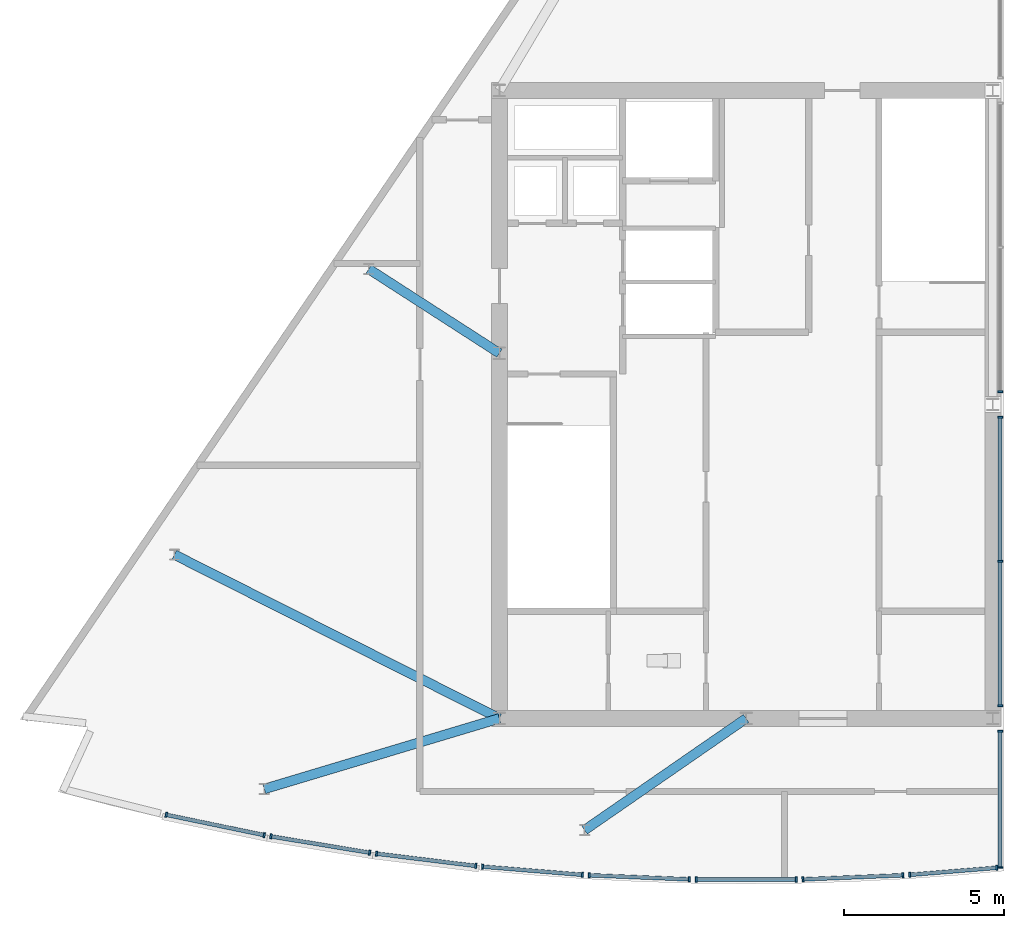
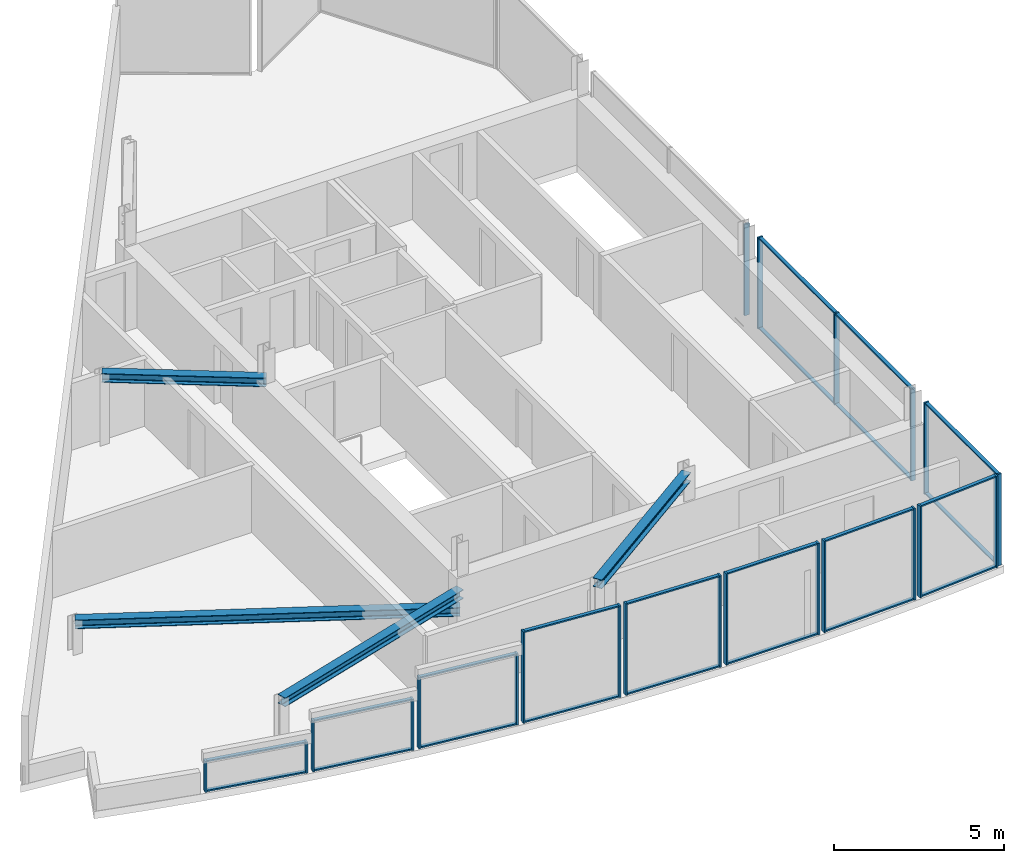
# One storey, part 2 of 7: 44 members, 4 beams, 11 elements without a shape of their own.
"""IFC4 building model written with IfcOpenShell, lengths in metres."""

import ifcopenshell
import ifcopenshell.guid

model = None  # the IFC model being written
_history = None  # IfcOwnerHistory: only IFC2X3 demands one
_inside = {}  # id of a spatial element -> (the spatial element, [elements in it])
_under = {}  # id of a project, library or spatial element -> (it, [spatial elements below it])
_declared = {}  # id of a project -> (the project, [libraries it declares])
_typed = {}  # id of a type object -> (the type object, [elements of that type])
_made_of = {}  # id of a material, layer set ... -> (it, [elements and type objects made of it])


def new_model(schema):
    """Start an empty IFC model of exactly this schema.

    Asked for "IFC4X3", IfcOpenShell would pick the latest addendum, in which some entities
    have other attributes; the version numbers below select the first issue.
    IFC2X3 requires an IfcOwnerHistory on every rooted entity: one is made here for all.
    """
    global model, _history
    if schema == "IFC4X3":
        model = ifcopenshell.file(schema_version=(4, 3, 0, 0))
    else:
        model = ifcopenshell.file(schema=schema)
    _inside.clear()
    _under.clear()
    _declared.clear()
    _typed.clear()
    _made_of.clear()
    _history = None
    if model.schema == "IFC2X3":
        org = make("IfcOrganization", Name="unknown")
        user = make(
            "IfcPersonAndOrganization",
            ThePerson=make("IfcPerson", FamilyName="unknown"),
            TheOrganization=org,
        )
        app = make(
            "IfcApplication",
            ApplicationDeveloper=org,
            Version="unknown",
            ApplicationFullName="unknown",
            ApplicationIdentifier="unknown",
        )
        _history = make(
            "IfcOwnerHistory",
            OwningUser=user,
            OwningApplication=app,
            ChangeAction="ADDED",
            CreationDate=0,
        )
    return model


def make(cls, **values):
    """One entity of the class cls with the attributes given. An attribute that is None is left unset."""
    return model.create_entity(
        cls, **{name: value for name, value in values.items() if value is not None}
    )


def rooted(cls, **values):
    """An entity with a GlobalId (a new one), such as an element, a storey or a relation."""
    return make(cls, GlobalId=ifcopenshell.guid.new(), OwnerHistory=_history, **values)


def si_unit(unit_type, name, prefix=None):
    """IfcSIUnit, for example si_unit("LENGTHUNIT", "METRE", prefix="MILLI")."""
    return make("IfcSIUnit", UnitType=unit_type, Prefix=prefix, Name=name)


def assignment(units):
    """IfcUnitAssignment: the units of a project."""
    return None if units is None else make("IfcUnitAssignment", Units=units)


def point(xyz):
    """IfcCartesianPoint."""
    return None if xyz is None else make("IfcCartesianPoint", Coordinates=xyz)


def direction(xyz):
    """IfcDirection."""
    return None if xyz is None else make("IfcDirection", DirectionRatios=xyz)


def frame(location, z_axis=None, x_axis=None):
    """IfcAxis2Placement3D, a coordinate frame: its origin and axes. An axis left out is left unset."""
    return make(
        "IfcAxis2Placement3D",
        Location=point(location),
        Axis=direction(z_axis),
        RefDirection=direction(x_axis),
    )


def frame_2d(location, x_axis=None):
    """IfcAxis2Placement2D, a coordinate frame in the plane: its origin and x axis."""
    return make(
        "IfcAxis2Placement2D", Location=point(location), RefDirection=direction(x_axis)
    )


def origin():
    """The frame at (0, 0, 0) with its axes left unset."""
    return frame((0.0, 0.0, 0.0))


def origin_2d():
    """The frame at (0, 0) in the plane with its x axis left unset."""
    return frame_2d((0.0, 0.0))


def place(relative_to, where):
    """IfcLocalPlacement: puts the frame where relative to a parent placement (None: the world)."""
    return make(
        "IfcLocalPlacement", PlacementRelTo=relative_to, RelativePlacement=where
    )


def context(
    kind, dimensions, precision=None, world=None, true_north=None, identifier=None
):
    """IfcGeometricRepresentationContext, for example the 3D "Model" context."""
    return make(
        "IfcGeometricRepresentationContext",
        ContextIdentifier=identifier,
        ContextType=kind,
        CoordinateSpaceDimension=dimensions,
        Precision=precision,
        WorldCoordinateSystem=world,
        TrueNorth=true_north,
    )


def subcontext(parent, identifier, kind, view, scale=None):
    """IfcGeometricRepresentationSubContext, for example "Body" below "Model"."""
    return make(
        "IfcGeometricRepresentationSubContext",
        ContextIdentifier=identifier,
        ContextType=kind,
        ParentContext=parent,
        TargetScale=scale,
        TargetView=view,
    )


def project(units=None, contexts=None):
    """IfcProject with its units and contexts."""
    return rooted(
        "IfcProject",
        Name="project",
        RepresentationContexts=contexts,
        UnitsInContext=assignment(units),
    )


def spatial(cls, under=None, at=None, **own):
    """A site, building, storey or space (cls), placed at a placement, below another one or the project."""
    s = rooted(cls, ObjectPlacement=at, **own)
    if under is not None:
        _under.setdefault(under.id(), (under, []))[1].append(s)
    return s


def profile(cls, at=None, kind="AREA", **sizes):
    """A parametric profile (cls). Its sizes go by their IFC names, for example OverallWidth=200.0."""
    return make(cls, ProfileType=kind, Position=at, **sizes)


def rectangle(**sizes):
    """IfcRectangleProfileDef."""
    return profile("IfcRectangleProfileDef", **sizes)


def i_section(**sizes):
    """IfcIShapeProfileDef."""
    return profile("IfcIShapeProfileDef", **sizes)


def extrude(swept, where, along, depth):
    """IfcExtrudedAreaSolid: the profile swept, set in the frame where, extruded along a direction by depth."""
    return make(
        "IfcExtrudedAreaSolid",
        SweptArea=swept,
        Position=where,
        ExtrudedDirection=direction(along),
        Depth=depth,
    )


def shape(context_of_items, identifier, shape_type, items):
    """IfcShapeRepresentation: the items that make up one representation, for example the "Body"."""
    return make(
        "IfcShapeRepresentation",
        ContextOfItems=context_of_items,
        RepresentationIdentifier=identifier,
        RepresentationType=shape_type,
        Items=items,
    )


def material(Name=None, Category=None):
    """IfcMaterial."""
    return make("IfcMaterial", Name=Name, Category=Category)


def material_profile(
    of_material, cross_section, Name=None, Category=None, Priority=None
):
    """IfcMaterialProfile: a cross section and its material."""
    return make(
        "IfcMaterialProfile",
        Name=Name,
        Material=of_material,
        Profile=cross_section,
        Priority=Priority,
        Category=Category,
    )


def profile_set(profiles, Name=None, composite=None):
    """IfcMaterialProfileSet."""
    return make(
        "IfcMaterialProfileSet",
        Name=Name,
        MaterialProfiles=profiles,
        CompositeProfile=composite,
    )


def made_of(thing, what):
    """Note that an element or type object is made of a material, layer set ...; save() writes the relation."""
    if what is not None:
        _made_of.setdefault(what.id(), (what, []))[1].append(thing)
    return thing


def type_object(cls, material=None, **own):
    """A type object (cls), such as IfcWallType, which elements share."""
    return made_of(rooted(cls, **own), material)


def element(
    cls,
    number,
    at=None,
    inside=None,
    cuts=None,
    type_object=None,
    material=None,
    context=None,
    identifier="Body",
    shape_type=None,
    held_by="IfcProductDefinitionShape",
    body=None,
    shapes=None,
    **own,
):
    """One element of the class cls, such as IfcWall. Its Tag is "e" and its number.

    at: its placement. inside: the storey or other place that contains it. cuts: it is an
    opening in that element (IfcRelVoidsElement). A single representation is given by context,
    identifier, shape_type and body (its items); several are given by shapes. held_by: the class
    of the entity that holds the representations. save() writes the other relations.
    """
    e = rooted(cls, Tag="e%d" % number, ObjectPlacement=at, **own)
    if body is not None:
        shapes = [shape(context, identifier, shape_type, body)]
    if shapes is not None:
        e.Representation = make(held_by, Representations=shapes)
    if inside is not None:
        _inside.setdefault(inside.id(), (inside, []))[1].append(e)
    if cuts is not None:
        rooted(
            "IfcRelVoidsElement", RelatingBuildingElement=cuts, RelatedOpeningElement=e
        )
    if type_object is not None:
        _typed.setdefault(type_object.id(), (type_object, []))[1].append(e)
    return made_of(e, material)


def aggregate(whole, parts):
    """IfcRelAggregates: a whole, such as a stair, and the parts it consists of."""
    return rooted("IfcRelAggregates", RelatingObject=whole, RelatedObjects=parts)


def save(model, path):
    """Write the relations noted so far, then the file.

    IfcRelAggregates (storeys below a building ...), IfcRelContainedInSpatialStructure (elements
    in a storey), IfcRelDefinesByType, IfcRelAssociatesMaterial and IfcRelDeclares: one each for
    every whole, place, type object, material and project.
    """
    for whole, parts in _under.values():
        aggregate(whole, parts)
    for where, things in _inside.values():
        rooted(
            "IfcRelContainedInSpatialStructure",
            RelatedElements=things,
            RelatingStructure=where,
        )
    for kind, things in _typed.values():
        rooted("IfcRelDefinesByType", RelatedObjects=things, RelatingType=kind)
    for what, things in _made_of.values():
        rooted("IfcRelAssociatesMaterial", RelatedObjects=things, RelatingMaterial=what)
    for by, libraries in _declared.values():
        rooted("IfcRelDeclares", RelatingContext=by, RelatedDefinitions=libraries)
    model.write(path)


model = new_model("IFC4")

# Units and contexts
model_context = context("Model", 3, precision=1e-05, world=origin(), true_north=direction((0.0, 1.0)))
body_context = subcontext(model_context, "Body", "Model", "MODEL_VIEW")
ifc_project = project(units=[si_unit("LENGTHUNIT", "METRE"), si_unit("AREAUNIT", "SQUARE_METRE"), si_unit("VOLUMEUNIT", "CUBIC_METRE"), si_unit("PLANEANGLEUNIT", "RADIAN"), si_unit("MASSUNIT", "GRAM", prefix="KILO")], contexts=[model_context])

# Site, building, storey
site_placement = place(None, origin())
site = spatial("IfcSite", under=ifc_project, at=site_placement, CompositionType="ELEMENT")
building_placement = place(site_placement, origin())
building = spatial("IfcBuilding", under=site, at=building_placement, Name="Savorim Split Tower", CompositionType="ELEMENT")
storey_placement = place(building_placement, frame((0.0, 0.0, 319.199951171875)))
storey = spatial("IfcBuildingStorey", under=building, at=storey_placement, Name="Crown L85 Plant", CompositionType="ELEMENT", Elevation=319.199951171875)

# Beams
ifc_material_1 = material(Name="Steel S355", Category="steel")
ifc_material_profile_1 = material_profile(ifc_material_1, i_section(OverallWidth=0.300048828125, OverallDepth=0.320068359375, WebThickness=0.011474609375, FlangeThickness=0.0205078125, FilletRadius=0.027099609375, at=origin_2d()), Name="HEB 320")
ifc_profile_set_1 = profile_set([ifc_material_profile_1], Name="Steel S355")
beam_type = type_object("IfcBeamType", Name="BM-PRI-HEB320", PredefinedType="BEAM", material=ifc_profile_set_1)
beam_1_placement = place(storey_placement, frame((-15.037109375, -11.6015625, 1.686767578125), z_axis=(0.957807862617, 0.287409287096, 0.0), x_axis=(-0.287409287096, 0.957807862617, 0.0)))
element("IfcBeam", 1, at=beam_1_placement, inside=storey, type_object=beam_type, Name="Crown L85 Plant West Crown Beam WBG-1", PredefinedType="BEAM", context=body_context, shape_type="SweptSolid", body=[
    extrude(i_section(OverallWidth=0.300048828125, OverallDepth=0.320068359375, WebThickness=0.011474609375, FlangeThickness=0.0205078125, FilletRadius=0.027099609375, at=origin_2d()), origin(), (0.0, 0.0, 1.0), 7.660400390625),
])
beam_2_placement = place(storey_placement, frame((-5.039794921875, -12.885009765625, 3.179931640625), z_axis=(0.82249616242, 0.568770659233, 0.0), x_axis=(-0.568770659233, 0.82249616242, 0.0)))
element("IfcBeam", 2, at=beam_2_placement, inside=storey, type_object=beam_type, Name="Crown L85 Plant West Crown Beam WBG-2", PredefinedType="BEAM", context=body_context, shape_type="SweptSolid", body=[
    extrude(i_section(OverallWidth=0.300048828125, OverallDepth=0.320068359375, WebThickness=0.011474609375, FlangeThickness=0.0205078125, FilletRadius=0.027099609375, at=origin_2d()), origin(), (0.0, 0.0, 1.0), 6.12744140625),
])
beam_3_placement = place(storey_placement, frame((-17.84033203125, -4.288818359375, 1.070068359375), z_axis=(0.892982084202, -0.450092209769, 0.0), x_axis=(0.450092209769, 0.892982084202, 0.0)))
element("IfcBeam", 3, at=beam_3_placement, inside=storey, type_object=beam_type, Name="Crown L85 Plant West Crown Beam WBG-3", PredefinedType="BEAM", context=body_context, shape_type="SweptSolid", body=[
    extrude(i_section(OverallWidth=0.300048828125, OverallDepth=0.320068359375, WebThickness=0.011474609375, FlangeThickness=0.0205078125, FilletRadius=0.027099609375, at=origin_2d()), origin(), (0.0, 0.0, 1.0), 11.355712890625),
])
beam_4_placement = place(storey_placement, frame((-11.775390625, 4.626708984375, 2.404541015625), z_axis=(0.840541482681, -0.541747188172, 0.0), x_axis=(0.541747188172, 0.840541482681, 0.0)))
element("IfcBeam", 4, at=beam_4_placement, inside=storey, type_object=beam_type, Name="Crown L85 Plant West Crown Beam WBG-4", PredefinedType="BEAM", context=body_context, shape_type="SweptSolid", body=[
    extrude(i_section(OverallWidth=0.300048828125, OverallDepth=0.320068359375, WebThickness=0.011474609375, FlangeThickness=0.0205078125, FilletRadius=0.027099609375, at=origin_2d()), origin(), (0.0, 0.0, 1.0), 4.8486328125),
])

# Curtain wall, members
ifc_material_2 = material(Name="Dark Ceramic-Fritted Insulated Glass", Category="glass")
curtain_wall_type = type_object("IfcCurtainWallType", Name="CW-CROWN-CREST", PredefinedType="NOTDEFINED", material=ifc_material_2)
curtain_wall_1_placement = place(storey_placement, origin())
curtain_wall_1 = element("IfcCurtainWall", 5, at=curtain_wall_1_placement, inside=storey, type_object=curtain_wall_type, Name="Crown L85 Plant Curtain Wall CW-Crown-L85-Plant-W1AS1", PredefinedType="NOTDEFINED")
ifc_material_3 = material(Name="Charcoal Anodised Aluminium", Category="aluminium")
ifc_material_profile_2 = material_profile(ifc_material_3, rectangle(XDim=0.159912109375, YDim=0.06005859375, at=origin_2d()), Name="ALU-M 160x60")
ifc_profile_set_2 = profile_set([ifc_material_profile_2], Name="Charcoal Anodised Aluminium")
member_type_1 = type_object("IfcMemberType", Name="CWM-160x60", PredefinedType="MULLION", material=ifc_profile_set_2)
member_1_placement = place(storey_placement, frame((7.929931640625, -14.05224609375, 0.0), z_axis=(0.0, 0.0, 1.0), x_axis=(-1.0, 0.0, 0.0)))
member_1 = element("IfcMember", 6, at=member_1_placement, type_object=member_type_1, Name="CW-07 mullion 1", PredefinedType="MULLION", context=body_context, shape_type="SweptSolid", body=[
    extrude(rectangle(XDim=0.159912109375, YDim=0.06005859375, at=origin_2d()), origin(), (0.0, 0.0, 1.0), 3.2900390625),
])
member_2_placement = place(storey_placement, frame((7.929931640625, -9.7958984375, 0.0), z_axis=(0.0, 0.0, 1.0), x_axis=(-1.0, 0.0, 0.0)))
member_2 = element("IfcMember", 7, at=member_2_placement, type_object=member_type_1, Name="CW-07 mullion 2", PredefinedType="MULLION", context=body_context, shape_type="SweptSolid", body=[
    extrude(rectangle(XDim=0.159912109375, YDim=0.06005859375, at=origin_2d()), origin(), (0.0, 0.0, 1.0), 3.2900390625),
])

curtain_wall_2_placement = place(storey_placement, origin())
curtain_wall_2 = element("IfcCurtainWall", 8, at=curtain_wall_2_placement, inside=storey, type_object=curtain_wall_type, Name="Crown L85 Plant Curtain Wall CW-Crown-L85-Plant-W1AS2", PredefinedType="NOTDEFINED")
member_3_placement = place(storey_placement, frame((7.929931640625, -9.00390625, 0.0), z_axis=(0.0, 0.0, 1.0), x_axis=(-1.0, 0.0, 0.0)))
member_3 = element("IfcMember", 9, at=member_3_placement, type_object=member_type_1, Name="CW-07 mullion 1", PredefinedType="MULLION", context=body_context, shape_type="SweptSolid", body=[
    extrude(rectangle(XDim=0.159912109375, YDim=0.06005859375, at=origin_2d()), origin(), (0.0, 0.0, 1.0), 3.2900390625),
])
member_4_placement = place(storey_placement, frame((7.929931640625, -4.5, 0.0), z_axis=(0.0, 0.0, 1.0), x_axis=(-1.0, 0.0, 0.0)))
member_4 = element("IfcMember", 10, at=member_4_placement, type_object=member_type_1, Name="CW-07 mullion 2", PredefinedType="MULLION", context=body_context, shape_type="SweptSolid", body=[
    extrude(rectangle(XDim=0.159912109375, YDim=0.06005859375, at=origin_2d()), origin(), (0.0, 0.0, 1.0), 3.2900390625),
])
member_5_placement = place(storey_placement, frame((7.929931640625, 0.00390625, 0.0), z_axis=(0.0, 0.0, 1.0), x_axis=(-1.0, 0.0, 0.0)))
member_5 = element("IfcMember", 11, at=member_5_placement, type_object=member_type_1, Name="CW-07 mullion 3", PredefinedType="MULLION", context=body_context, shape_type="SweptSolid", body=[
    extrude(rectangle(XDim=0.159912109375, YDim=0.06005859375, at=origin_2d()), origin(), (0.0, 0.0, 1.0), 3.2900390625),
])

# Curtain wall, member
curtain_wall_3_placement = place(storey_placement, origin())
curtain_wall_3 = element("IfcCurtainWall", 12, at=curtain_wall_3_placement, inside=storey, type_object=curtain_wall_type, Name="Crown L85 Plant Curtain Wall CW-Crown-L85-Plant-W1AS3", PredefinedType="NOTDEFINED")
member_6_placement = place(storey_placement, frame((7.929931640625, 0.7958984375, 0.0), z_axis=(0.0, 0.0, 1.0), x_axis=(-1.0, 0.0, 0.0)))
member_6 = element("IfcMember", 13, at=member_6_placement, type_object=member_type_1, Name="CW-07 mullion 1", PredefinedType="MULLION", context=body_context, shape_type="SweptSolid", body=[
    extrude(rectangle(XDim=0.159912109375, YDim=0.06005859375, at=origin_2d()), origin(), (0.0, 0.0, 1.0), 3.2900390625),
])
aggregate(curtain_wall_3, [member_6])

# Curtain wall, members
curtain_wall_4_placement = place(storey_placement, origin())
curtain_wall_4 = element("IfcCurtainWall", 14, at=curtain_wall_4_placement, inside=storey, type_object=curtain_wall_type, Name="Crown L85 Plant Curtain Wall CW-Crown-L85-Plant-W9A", PredefinedType="NOTDEFINED")
member_7_placement = place(storey_placement, frame((-18.096435546875, -12.406982421875, 0.0), z_axis=(0.0, 0.0, 1.0), x_axis=(0.203187467323, 0.97913985371, 0.0)))
member_7 = element("IfcMember", 15, at=member_7_placement, type_object=member_type_1, Name="CW-07 mullion 1", PredefinedType="MULLION", context=body_context, shape_type="SweptSolid", body=[
    extrude(rectangle(XDim=0.159912109375, YDim=0.06005859375, at=origin_2d()), origin(), (0.0, 0.0, 1.0), 1.117431640625),
])
member_8_placement = place(storey_placement, frame((-15.039306640625, -13.04150390625, 0.0), z_axis=(0.0, 0.0, 1.0), x_axis=(0.203187467323, 0.97913985371, 0.0)))
member_8 = element("IfcMember", 16, at=member_8_placement, type_object=member_type_1, Name="CW-07 mullion 2", PredefinedType="MULLION", context=body_context, shape_type="SweptSolid", body=[
    extrude(rectangle(XDim=0.159912109375, YDim=0.06005859375, at=origin_2d()), origin(), (0.0, 0.0, 1.0), 1.117431640625),
])

curtain_wall_5_placement = place(storey_placement, origin())
curtain_wall_5 = element("IfcCurtainWall", 17, at=curtain_wall_5_placement, inside=storey, type_object=curtain_wall_type, Name="Crown L85 Plant Curtain Wall CW-Crown-L85-Plant-W10A", PredefinedType="NOTDEFINED")
member_9_placement = place(storey_placement, frame((-14.827880859375, -13.080810546875, 0.0), z_axis=(0.0, 0.0, 1.0), x_axis=(0.163002524407, 0.986625651925, 0.0)))
member_9 = element("IfcMember", 18, at=member_9_placement, type_object=member_type_1, Name="CW-07 mullion 1", PredefinedType="MULLION", context=body_context, shape_type="SweptSolid", body=[
    extrude(rectangle(XDim=0.159912109375, YDim=0.06005859375, at=origin_2d()), origin(), (0.0, 0.0, 1.0), 1.83642578125),
])
member_10_placement = place(storey_placement, frame((-11.74755859375, -13.589599609375, 0.0), z_axis=(0.0, 0.0, 1.0), x_axis=(0.163002524407, 0.986625651925, 0.0)))
member_10 = element("IfcMember", 19, at=member_10_placement, type_object=member_type_1, Name="CW-07 mullion 2", PredefinedType="MULLION", context=body_context, shape_type="SweptSolid", body=[
    extrude(rectangle(XDim=0.159912109375, YDim=0.06005859375, at=origin_2d()), origin(), (0.0, 0.0, 1.0), 1.83642578125),
])

curtain_wall_6_placement = place(storey_placement, origin())
curtain_wall_6 = element("IfcCurtainWall", 20, at=curtain_wall_6_placement, inside=storey, type_object=curtain_wall_type, Name="Crown L85 Plant Curtain Wall CW-Crown-L85-Plant-W11A", PredefinedType="NOTDEFINED")
member_11_placement = place(storey_placement, frame((-11.53466796875, -13.620361328125, 0.0), z_axis=(0.0, 0.0, 1.0), x_axis=(0.122464282633, 0.992472921283, 0.0)))
member_11 = element("IfcMember", 21, at=member_11_placement, type_object=member_type_1, Name="CW-07 mullion 1", PredefinedType="MULLION", context=body_context, shape_type="SweptSolid", body=[
    extrude(rectangle(XDim=0.159912109375, YDim=0.06005859375, at=origin_2d()), origin(), (0.0, 0.0, 1.0), 2.560791015625),
])
member_12_placement = place(storey_placement, frame((-8.43603515625, -14.002685546875, 0.0), z_axis=(0.0, 0.0, 1.0), x_axis=(0.122464282633, 0.992472921283, 0.0)))
member_12 = element("IfcMember", 22, at=member_12_placement, type_object=member_type_1, Name="CW-07 mullion 2", PredefinedType="MULLION", context=body_context, shape_type="SweptSolid", body=[
    extrude(rectangle(XDim=0.159912109375, YDim=0.06005859375, at=origin_2d()), origin(), (0.0, 0.0, 1.0), 2.560791015625),
])

curtain_wall_7_placement = place(storey_placement, origin())
curtain_wall_7 = element("IfcCurtainWall", 23, at=curtain_wall_7_placement, inside=storey, type_object=curtain_wall_type, Name="Crown L85 Plant Curtain Wall CW-Crown-L85-Plant-W12A", PredefinedType="NOTDEFINED")
member_13_placement = place(storey_placement, frame((-8.22216796875, -14.024658203125, 0.0), z_axis=(0.0, 0.0, 1.0), x_axis=(0.081797116604, 0.996649001261, 0.0)))
member_13 = element("IfcMember", 24, at=member_13_placement, type_object=member_type_1, Name="CW-07 mullion 1", PredefinedType="MULLION", context=body_context, shape_type="SweptSolid", body=[
    extrude(rectangle(XDim=0.159912109375, YDim=0.06005859375, at=origin_2d()), origin(), (0.0, 0.0, 1.0), 3.28955078125),
])
member_14_placement = place(storey_placement, frame((-5.1103515625, -14.280029296875, 0.0), z_axis=(0.0, 0.0, 1.0), x_axis=(0.081797116604, 0.996649001261, 0.0)))
member_14 = element("IfcMember", 25, at=member_14_placement, type_object=member_type_1, Name="CW-07 mullion 2", PredefinedType="MULLION", context=body_context, shape_type="SweptSolid", body=[
    extrude(rectangle(XDim=0.159912109375, YDim=0.06005859375, at=origin_2d()), origin(), (0.0, 0.0, 1.0), 3.28955078125),
])

curtain_wall_8_placement = place(storey_placement, origin())
curtain_wall_8 = element("IfcCurtainWall", 26, at=curtain_wall_8_placement, inside=storey, type_object=curtain_wall_type, Name="Crown L85 Plant Curtain Wall CW-Crown-L85-Plant-W13A", PredefinedType="NOTDEFINED")
member_15_placement = place(storey_placement, frame((-4.895751953125, -14.293212890625, 0.0), z_axis=(0.0, 0.0, 1.0), x_axis=(0.040882887558, 0.999163945259, 0.0)))
member_15 = element("IfcMember", 27, at=member_15_placement, type_object=member_type_1, Name="CW-07 mullion 1", PredefinedType="MULLION", context=body_context, shape_type="SweptSolid", body=[
    extrude(rectangle(XDim=0.159912109375, YDim=0.06005859375, at=origin_2d()), origin(), (0.0, 0.0, 1.0), 3.2900390625),
])
member_16_placement = place(storey_placement, frame((-1.776123046875, -14.4208984375, 0.0), z_axis=(0.0, 0.0, 1.0), x_axis=(0.040882887558, 0.999163945259, 0.0)))
member_16 = element("IfcMember", 28, at=member_16_placement, type_object=member_type_1, Name="CW-07 mullion 2", PredefinedType="MULLION", context=body_context, shape_type="SweptSolid", body=[
    extrude(rectangle(XDim=0.159912109375, YDim=0.06005859375, at=origin_2d()), origin(), (0.0, 0.0, 1.0), 3.2900390625),
])

curtain_wall_9_placement = place(storey_placement, origin())
curtain_wall_9 = element("IfcCurtainWall", 29, at=curtain_wall_9_placement, inside=storey, type_object=curtain_wall_type, Name="Crown L85 Plant Curtain Wall CW-Crown-L85-Plant-W14A", PredefinedType="NOTDEFINED")
member_17_placement = place(storey_placement, frame((-1.56103515625, -14.42529296875, 0.0), z_axis=(0.0, 0.0, 1.0), x_axis=(0.0, 1.0, 0.0)))
member_17 = element("IfcMember", 30, at=member_17_placement, type_object=member_type_1, Name="CW-07 mullion 1", PredefinedType="MULLION", context=body_context, shape_type="SweptSolid", body=[
    extrude(rectangle(XDim=0.159912109375, YDim=0.06005859375, at=origin_2d()), origin(), (0.0, 0.0, 1.0), 3.2900390625),
])
member_18_placement = place(storey_placement, frame((1.56103515625, -14.42529296875, 0.0), z_axis=(0.0, 0.0, 1.0), x_axis=(0.0, 1.0, 0.0)))
member_18 = element("IfcMember", 31, at=member_18_placement, type_object=member_type_1, Name="CW-07 mullion 2", PredefinedType="MULLION", context=body_context, shape_type="SweptSolid", body=[
    extrude(rectangle(XDim=0.159912109375, YDim=0.06005859375, at=origin_2d()), origin(), (0.0, 0.0, 1.0), 3.2900390625),
])

curtain_wall_10_placement = place(storey_placement, origin())
curtain_wall_10 = element("IfcCurtainWall", 32, at=curtain_wall_10_placement, inside=storey, type_object=curtain_wall_type, Name="Crown L85 Plant Curtain Wall CW-Crown-L85-Plant-W15A", PredefinedType="NOTDEFINED")
member_19_placement = place(storey_placement, frame((1.776123046875, -14.4208984375, 0.0), z_axis=(0.0, 0.0, 1.0), x_axis=(-0.040882887558, 0.999163945259, 0.0)))
member_19 = element("IfcMember", 33, at=member_19_placement, type_object=member_type_1, Name="CW-07 mullion 1", PredefinedType="MULLION", context=body_context, shape_type="SweptSolid", body=[
    extrude(rectangle(XDim=0.159912109375, YDim=0.06005859375, at=origin_2d()), origin(), (0.0, 0.0, 1.0), 3.2900390625),
])
member_20_placement = place(storey_placement, frame((4.895751953125, -14.293212890625, 0.0), z_axis=(0.0, 0.0, 1.0), x_axis=(-0.040882887558, 0.999163945259, 0.0)))
member_20 = element("IfcMember", 34, at=member_20_placement, type_object=member_type_1, Name="CW-07 mullion 2", PredefinedType="MULLION", context=body_context, shape_type="SweptSolid", body=[
    extrude(rectangle(XDim=0.159912109375, YDim=0.06005859375, at=origin_2d()), origin(), (0.0, 0.0, 1.0), 3.2900390625),
])

curtain_wall_11_placement = place(storey_placement, origin())
curtain_wall_11 = element("IfcCurtainWall", 35, at=curtain_wall_11_placement, inside=storey, type_object=curtain_wall_type, Name="Crown L85 Plant Curtain Wall CW-Crown-L85-Plant-W16A", PredefinedType="NOTDEFINED")
member_21_placement = place(storey_placement, frame((5.1103515625, -14.280029296875, 0.0), z_axis=(0.0, 0.0, 1.0), x_axis=(-0.080768618674, 0.996732878076, 0.0)))
member_21 = element("IfcMember", 36, at=member_21_placement, type_object=member_type_1, Name="CW-07 mullion 1", PredefinedType="MULLION", context=body_context, shape_type="SweptSolid", body=[
    extrude(rectangle(XDim=0.159912109375, YDim=0.06005859375, at=origin_2d()), origin(), (0.0, 0.0, 1.0), 3.2900390625),
])
member_22_placement = place(storey_placement, frame((7.825927734375, -14.06005859375, 0.0), z_axis=(0.0, 0.0, 1.0), x_axis=(-0.080768618674, 0.996732878076, 0.0)))
member_22 = element("IfcMember", 37, at=member_22_placement, type_object=member_type_1, Name="CW-07 mullion 2", PredefinedType="MULLION", context=body_context, shape_type="SweptSolid", body=[
    extrude(rectangle(XDim=0.159912109375, YDim=0.06005859375, at=origin_2d()), origin(), (0.0, 0.0, 1.0), 3.2900390625),
])

# Member
ifc_material_profile_3 = material_profile(ifc_material_3, rectangle(XDim=0.1201171875, YDim=0.050048828125, at=origin_2d()), Name="ALU-T 120x50")
ifc_profile_set_3 = profile_set([ifc_material_profile_3], Name="Charcoal Anodised Aluminium")
member_type_2 = type_object("IfcMemberType", Name="CWT-120x50", PredefinedType="USERDEFINED", material=ifc_profile_set_3)
member_23_placement = place(storey_placement, frame((7.929931640625, -14.022216796875, 0.025146484375), z_axis=(0.0, 1.0, 0.0), x_axis=(-1.0, 0.0, 0.0)))
member_23 = element("IfcMember", 38, at=member_23_placement, type_object=member_type_2, Name="CW-07 transom 1.1", ObjectType="TRANSOM", PredefinedType="USERDEFINED", context=body_context, shape_type="SweptSolid", body=[
    extrude(rectangle(XDim=0.1201171875, YDim=0.050048828125, at=origin_2d()), origin(), (0.0, 0.0, 1.0), 4.1962890625),
])

member_24_placement = place(storey_placement, frame((7.929931640625, -14.022216796875, 3.26513671875), z_axis=(0.0, 1.0, 0.0), x_axis=(-1.0, 0.0, 0.0)))
member_24 = element("IfcMember", 39, at=member_24_placement, type_object=member_type_2, Name="CW-07 transom 1.2", ObjectType="TRANSOM", PredefinedType="USERDEFINED", context=body_context, shape_type="SweptSolid", body=[
    extrude(rectangle(XDim=0.1201171875, YDim=0.050048828125, at=origin_2d()), origin(), (0.0, 0.0, 1.0), 4.1962890625),
])

aggregate(curtain_wall_1, [member_1, member_2, member_23, member_24])

member_25_placement = place(storey_placement, frame((7.929931640625, -8.97412109375, 0.025146484375), z_axis=(0.0, 1.0, 0.0), x_axis=(-1.0, 0.0, 0.0)))
member_25 = element("IfcMember", 40, at=member_25_placement, type_object=member_type_2, Name="CW-07 transom 1.1", ObjectType="TRANSOM", PredefinedType="USERDEFINED", context=body_context, shape_type="SweptSolid", body=[
    extrude(rectangle(XDim=0.1201171875, YDim=0.050048828125, at=origin_2d()), origin(), (0.0, 0.0, 1.0), 4.444091796875),
])

member_26_placement = place(storey_placement, frame((7.929931640625, -8.97412109375, 3.26513671875), z_axis=(0.0, 1.0, 0.0), x_axis=(-1.0, 0.0, 0.0)))
member_26 = element("IfcMember", 41, at=member_26_placement, type_object=member_type_2, Name="CW-07 transom 1.2", ObjectType="TRANSOM", PredefinedType="USERDEFINED", context=body_context, shape_type="SweptSolid", body=[
    extrude(rectangle(XDim=0.1201171875, YDim=0.050048828125, at=origin_2d()), origin(), (0.0, 0.0, 1.0), 4.444091796875),
])

member_27_placement = place(storey_placement, frame((7.929931640625, -4.469970703125, 0.025146484375), z_axis=(0.0, 1.0, 0.0), x_axis=(-1.0, 0.0, 0.0)))
member_27 = element("IfcMember", 42, at=member_27_placement, type_object=member_type_2, Name="CW-07 transom 2.1", ObjectType="TRANSOM", PredefinedType="USERDEFINED", context=body_context, shape_type="SweptSolid", body=[
    extrude(rectangle(XDim=0.1201171875, YDim=0.050048828125, at=origin_2d()), origin(), (0.0, 0.0, 1.0), 4.444091796875),
])

member_28_placement = place(storey_placement, frame((7.929931640625, -4.469970703125, 3.26513671875), z_axis=(0.0, 1.0, 0.0), x_axis=(-1.0, 0.0, 0.0)))
member_28 = element("IfcMember", 43, at=member_28_placement, type_object=member_type_2, Name="CW-07 transom 2.2", ObjectType="TRANSOM", PredefinedType="USERDEFINED", context=body_context, shape_type="SweptSolid", body=[
    extrude(rectangle(XDim=0.1201171875, YDim=0.050048828125, at=origin_2d()), origin(), (0.0, 0.0, 1.0), 4.444091796875),
])

aggregate(curtain_wall_2, [member_3, member_4, member_5, member_25, member_26, member_27, member_28])

member_29_placement = place(storey_placement, frame((-18.067138671875, -12.4130859375, 0.025146484375), z_axis=(0.979135333913, -0.203209246551, 0.0), x_axis=(0.203209246551, 0.979135333913, 0.0)))
member_29 = element("IfcMember", 44, at=member_29_placement, type_object=member_type_2, Name="CW-07 transom 1.1", ObjectType="TRANSOM", PredefinedType="USERDEFINED", context=body_context, shape_type="SweptSolid", body=[
    extrude(rectangle(XDim=0.1201171875, YDim=0.050048828125, at=origin_2d()), origin(), (0.0, 0.0, 1.0), 3.0625),
])

member_30_placement = place(storey_placement, frame((-18.067138671875, -12.4130859375, 1.09228515625), z_axis=(0.979135333913, -0.203209246551, 0.0), x_axis=(0.203209246551, 0.979135333913, 0.0)))
member_30 = element("IfcMember", 45, at=member_30_placement, type_object=member_type_2, Name="CW-07 transom 1.2", ObjectType="TRANSOM", PredefinedType="USERDEFINED", context=body_context, shape_type="SweptSolid", body=[
    extrude(rectangle(XDim=0.1201171875, YDim=0.050048828125, at=origin_2d()), origin(), (0.0, 0.0, 1.0), 3.0625),
])

aggregate(curtain_wall_4, [member_7, member_8, member_29, member_30])

member_31_placement = place(storey_placement, frame((-14.79833984375, -13.085693359375, 0.025146484375), z_axis=(0.9866320634, -0.162963712128, 0.0), x_axis=(0.162963712128, 0.9866320634, 0.0)))
member_31 = element("IfcMember", 46, at=member_31_placement, type_object=member_type_2, Name="CW-07 transom 1.1", ObjectType="TRANSOM", PredefinedType="USERDEFINED", context=body_context, shape_type="SweptSolid", body=[
    extrude(rectangle(XDim=0.1201171875, YDim=0.050048828125, at=origin_2d()), origin(), (0.0, 0.0, 1.0), 3.062255859375),
])

member_32_placement = place(storey_placement, frame((-14.79833984375, -13.085693359375, 1.811279296875), z_axis=(0.9866320634, -0.162963712128, 0.0), x_axis=(0.162963712128, 0.9866320634, 0.0)))
member_32 = element("IfcMember", 47, at=member_32_placement, type_object=member_type_2, Name="CW-07 transom 1.2", ObjectType="TRANSOM", PredefinedType="USERDEFINED", context=body_context, shape_type="SweptSolid", body=[
    extrude(rectangle(XDim=0.1201171875, YDim=0.050048828125, at=origin_2d()), origin(), (0.0, 0.0, 1.0), 3.062255859375),
])

aggregate(curtain_wall_5, [member_9, member_10, member_31, member_32])

member_33_placement = place(storey_placement, frame((-11.5048828125, -13.6240234375, 0.025146484375), z_axis=(0.992472891826, -0.122464521356, 0.0), x_axis=(0.122464521356, 0.992472891826, 0.0)))
member_33 = element("IfcMember", 48, at=member_33_placement, type_object=member_type_2, Name="CW-07 transom 1.1", ObjectType="TRANSOM", PredefinedType="USERDEFINED", context=body_context, shape_type="SweptSolid", body=[
    extrude(rectangle(XDim=0.1201171875, YDim=0.050048828125, at=origin_2d()), origin(), (0.0, 0.0, 1.0), 3.06201171875),
])

member_34_placement = place(storey_placement, frame((-11.5048828125, -13.6240234375, 2.535888671875), z_axis=(0.992472891826, -0.122464521356, 0.0), x_axis=(0.122464521356, 0.992472891826, 0.0)))
member_34 = element("IfcMember", 49, at=member_34_placement, type_object=member_type_2, Name="CW-07 transom 1.2", ObjectType="TRANSOM", PredefinedType="USERDEFINED", context=body_context, shape_type="SweptSolid", body=[
    extrude(rectangle(XDim=0.1201171875, YDim=0.050048828125, at=origin_2d()), origin(), (0.0, 0.0, 1.0), 3.06201171875),
])

aggregate(curtain_wall_6, [member_11, member_12, member_33, member_34])

member_35_placement = place(storey_placement, frame((-8.192138671875, -14.027099609375, 0.025146484375), z_axis=(0.996648896133, -0.081798397523, 0.0), x_axis=(0.081798397523, 0.996648896133, 0.0)))
member_35 = element("IfcMember", 50, at=member_35_placement, type_object=member_type_2, Name="CW-07 transom 1.1", ObjectType="TRANSOM", PredefinedType="USERDEFINED", context=body_context, shape_type="SweptSolid", body=[
    extrude(rectangle(XDim=0.1201171875, YDim=0.050048828125, at=origin_2d()), origin(), (0.0, 0.0, 1.0), 3.062255859375),
])

member_36_placement = place(storey_placement, frame((-8.192138671875, -14.027099609375, 3.2646484375), z_axis=(0.996648896133, -0.081798397523, 0.0), x_axis=(0.081798397523, 0.996648896133, 0.0)))
member_36 = element("IfcMember", 51, at=member_36_placement, type_object=member_type_2, Name="CW-07 transom 1.2", ObjectType="TRANSOM", PredefinedType="USERDEFINED", context=body_context, shape_type="SweptSolid", body=[
    extrude(rectangle(XDim=0.1201171875, YDim=0.050048828125, at=origin_2d()), origin(), (0.0, 0.0, 1.0), 3.062255859375),
])

aggregate(curtain_wall_7, [member_13, member_14, member_35, member_36])

member_37_placement = place(storey_placement, frame((-4.86572265625, -14.29443359375, 0.025146484375), z_axis=(0.99916320597, -0.040900951537, 0.0), x_axis=(0.040900951537, 0.99916320597, 0.0)))
member_37 = element("IfcMember", 52, at=member_37_placement, type_object=member_type_2, Name="CW-07 transom 1.1", ObjectType="TRANSOM", PredefinedType="USERDEFINED", context=body_context, shape_type="SweptSolid", body=[
    extrude(rectangle(XDim=0.1201171875, YDim=0.050048828125, at=origin_2d()), origin(), (0.0, 0.0, 1.0), 3.06201171875),
])

member_38_placement = place(storey_placement, frame((-4.86572265625, -14.29443359375, 3.26513671875), z_axis=(0.99916320597, -0.040900951537, 0.0), x_axis=(0.040900951537, 0.99916320597, 0.0)))
member_38 = element("IfcMember", 53, at=member_38_placement, type_object=member_type_2, Name="CW-07 transom 1.2", ObjectType="TRANSOM", PredefinedType="USERDEFINED", context=body_context, shape_type="SweptSolid", body=[
    extrude(rectangle(XDim=0.1201171875, YDim=0.050048828125, at=origin_2d()), origin(), (0.0, 0.0, 1.0), 3.06201171875),
])

aggregate(curtain_wall_8, [member_15, member_16, member_37, member_38])

member_39_placement = place(storey_placement, frame((-1.531005859375, -14.42529296875, 0.025146484375), z_axis=(1.0, 0.0, 0.0), x_axis=(0.0, 1.0, 0.0)))
member_39 = element("IfcMember", 54, at=member_39_placement, type_object=member_type_2, Name="CW-07 transom 1.1", ObjectType="TRANSOM", PredefinedType="USERDEFINED", context=body_context, shape_type="SweptSolid", body=[
    extrude(rectangle(XDim=0.1201171875, YDim=0.050048828125, at=origin_2d()), origin(), (0.0, 0.0, 1.0), 3.06201171875),
])

member_40_placement = place(storey_placement, frame((-1.531005859375, -14.42529296875, 3.26513671875), z_axis=(1.0, 0.0, 0.0), x_axis=(0.0, 1.0, 0.0)))
member_40 = element("IfcMember", 55, at=member_40_placement, type_object=member_type_2, Name="CW-07 transom 1.2", ObjectType="TRANSOM", PredefinedType="USERDEFINED", context=body_context, shape_type="SweptSolid", body=[
    extrude(rectangle(XDim=0.1201171875, YDim=0.050048828125, at=origin_2d()), origin(), (0.0, 0.0, 1.0), 3.06201171875),
])

aggregate(curtain_wall_9, [member_17, member_18, member_39, member_40])

member_41_placement = place(storey_placement, frame((1.80615234375, -14.419677734375, 0.025146484375), z_axis=(0.99916320597, 0.040900951537, 0.0), x_axis=(-0.040900951537, 0.99916320597, 0.0)))
member_41 = element("IfcMember", 56, at=member_41_placement, type_object=member_type_2, Name="CW-07 transom 1.1", ObjectType="TRANSOM", PredefinedType="USERDEFINED", context=body_context, shape_type="SweptSolid", body=[
    extrude(rectangle(XDim=0.1201171875, YDim=0.050048828125, at=origin_2d()), origin(), (0.0, 0.0, 1.0), 3.06201171875),
])

member_42_placement = place(storey_placement, frame((1.80615234375, -14.419677734375, 3.26513671875), z_axis=(0.99916320597, 0.040900951537, 0.0), x_axis=(-0.040900951537, 0.99916320597, 0.0)))
member_42 = element("IfcMember", 57, at=member_42_placement, type_object=member_type_2, Name="CW-07 transom 1.2", ObjectType="TRANSOM", PredefinedType="USERDEFINED", context=body_context, shape_type="SweptSolid", body=[
    extrude(rectangle(XDim=0.1201171875, YDim=0.050048828125, at=origin_2d()), origin(), (0.0, 0.0, 1.0), 3.06201171875),
])

aggregate(curtain_wall_10, [member_19, member_20, member_41, member_42])

member_43_placement = place(storey_placement, frame((5.140380859375, -14.277587890625, 0.025146484375), z_axis=(0.996736424785, 0.080724838227, 0.0), x_axis=(-0.080724838227, 0.996736424785, 0.0)))
member_43 = element("IfcMember", 58, at=member_43_placement, type_object=member_type_2, Name="CW-07 transom 1.1", ObjectType="TRANSOM", PredefinedType="USERDEFINED", context=body_context, shape_type="SweptSolid", body=[
    extrude(rectangle(XDim=0.1201171875, YDim=0.050048828125, at=origin_2d()), origin(), (0.0, 0.0, 1.0), 2.66455078125),
])

member_44_placement = place(storey_placement, frame((5.140380859375, -14.277587890625, 3.26513671875), z_axis=(0.996736424785, 0.080724838227, 0.0), x_axis=(-0.080724838227, 0.996736424785, 0.0)))
member_44 = element("IfcMember", 59, at=member_44_placement, type_object=member_type_2, Name="CW-07 transom 1.2", ObjectType="TRANSOM", PredefinedType="USERDEFINED", context=body_context, shape_type="SweptSolid", body=[
    extrude(rectangle(XDim=0.1201171875, YDim=0.050048828125, at=origin_2d()), origin(), (0.0, 0.0, 1.0), 2.66455078125),
])

aggregate(curtain_wall_11, [member_21, member_22, member_43, member_44])

save(model, "model.ifc")
